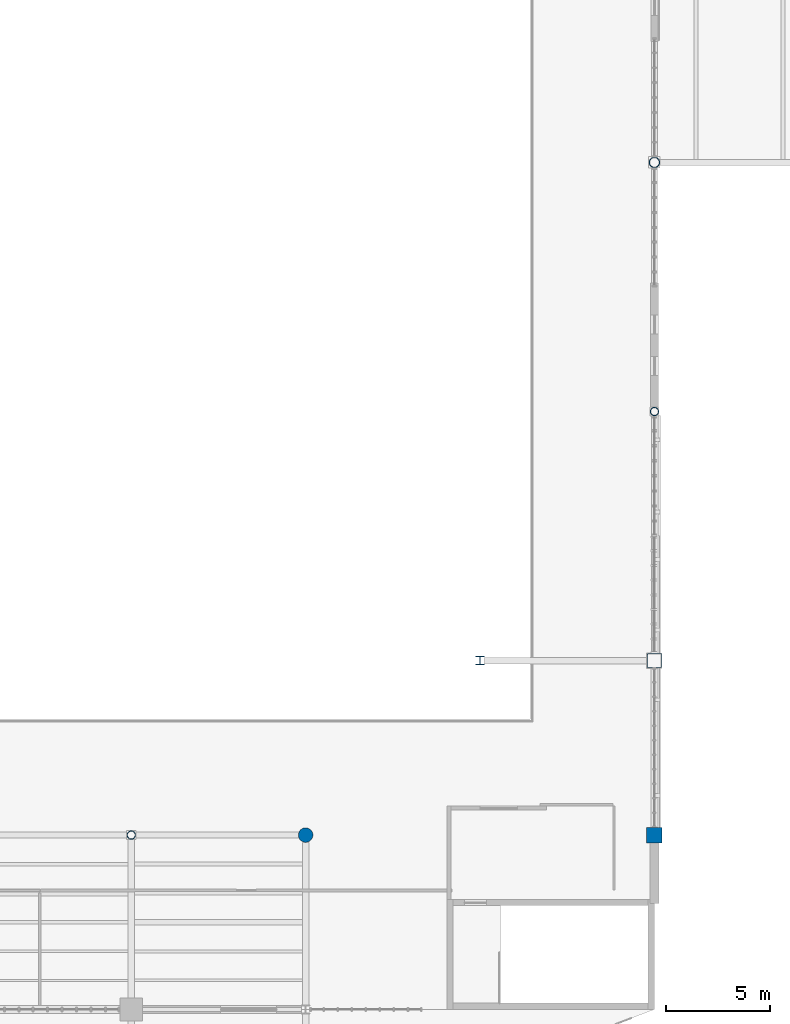
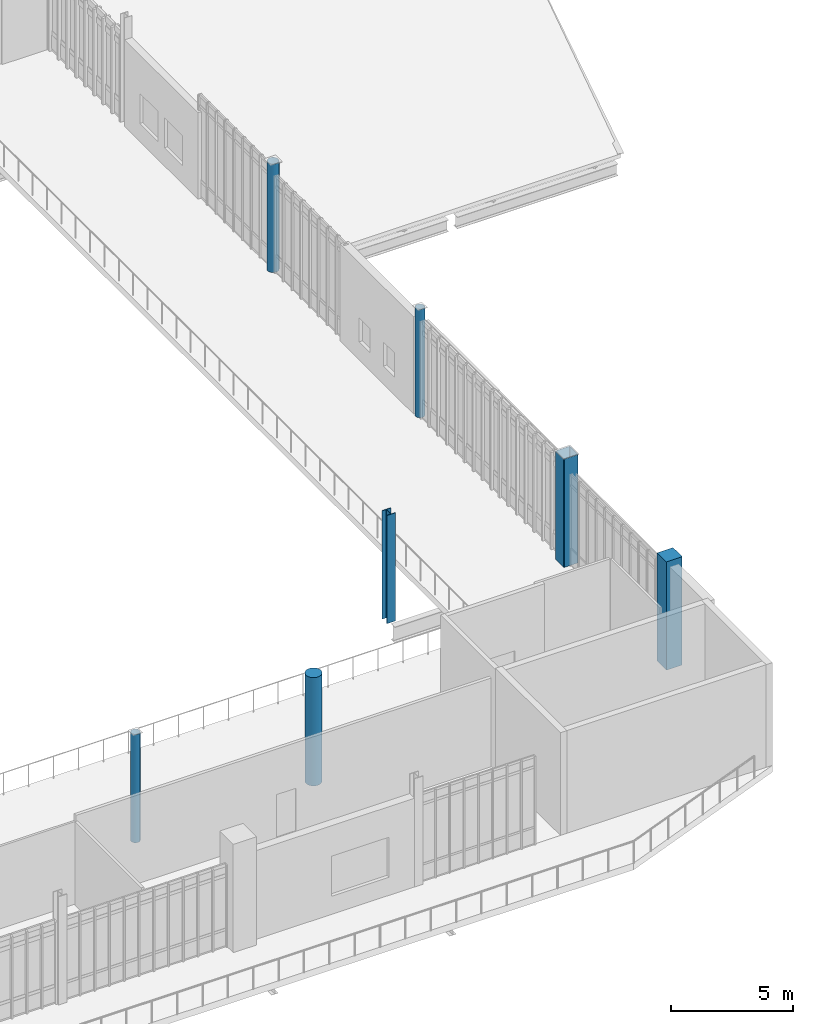
# One storey, part 2 of 135: 7 columns.
"""IFC4 building model written with IfcOpenShell, lengths in metres."""

from ifc_helpers import new_model, si_unit, direction, frame, origin, origin_2d, place, context, subcontext, project, spatial, rectangle, hollow_rectangle, circle, hollow_circle, i_section, extrude, material, material_profile, profile_set, type_object, element, save


model = new_model("IFC4")

# Units and contexts
model_context = context("Model", 3, precision=1e-05, world=origin(), true_north=direction((0.0, 1.0)))
body_context = subcontext(model_context, "Body", "Model", "MODEL_VIEW")
ifc_project = project(units=[si_unit("LENGTHUNIT", "METRE"), si_unit("AREAUNIT", "SQUARE_METRE"), si_unit("VOLUMEUNIT", "CUBIC_METRE"), si_unit("PLANEANGLEUNIT", "RADIAN"), si_unit("MASSUNIT", "GRAM", prefix="KILO")], contexts=[model_context])

# Site, building, storey
site_placement = place(None, origin())
site = spatial("IfcSite", under=ifc_project, at=site_placement, CompositionType="ELEMENT")
building_placement = place(site_placement, origin())
building = spatial("IfcBuilding", under=site, at=building_placement, Name="Larkvane Passage Sports Hall", CompositionType="ELEMENT")
storey_placement = place(building_placement, frame((0.0, 0.0, 16.800048828125)))
storey = spatial("IfcBuildingStorey", under=building, at=storey_placement, Name="L03", CompositionType="ELEMENT", Elevation=16.800048828125)

# Columns
ifc_material_1 = material(Name="Concrete C40/50", Category="concrete")
ifc_material_profile_1 = material_profile(ifc_material_1, circle(Radius=0.35009765625, at=origin_2d()), Name="RC-CIR-700")
ifc_profile_set_1 = profile_set([ifc_material_profile_1], Name="Concrete C40/50")
column_type_1 = type_object("IfcColumnType", Name="COL-CIR-700", PredefinedType="COLUMN", material=ifc_profile_set_1)
column_1_placement = place(storey_placement, frame((76.800048828125, 31.199951171875, 0.0), z_axis=(0.0, 0.0, 1.0), x_axis=(1.0, 0.0, 0.0)))
element("IfcColumn", 1, at=column_1_placement, inside=storey, type_object=column_type_1, Name="Column 11/E L03", PredefinedType="COLUMN", context=body_context, shape_type="SweptSolid", body=[
    extrude(circle(Radius=0.35009765625, at=origin_2d()), origin(), (0.0, 0.0, 1.0), 5.39990234375),
])
ifc_material_profile_2 = material_profile(ifc_material_1, rectangle(XDim=0.75, YDim=0.75, at=origin_2d()), Name="RC-COL-750x750")
ifc_profile_set_2 = profile_set([ifc_material_profile_2], Name="Concrete C40/50")
column_type_2 = type_object("IfcColumnType", Name="COL-RC-750", PredefinedType="COLUMN", material=ifc_profile_set_2)
column_2_placement = place(storey_placement, frame((93.60009765625, 31.199951171875, 0.0), z_axis=(0.0, 0.0, 1.0), x_axis=(1.0, 0.0, 0.0)))
element("IfcColumn", 2, at=column_2_placement, inside=storey, type_object=column_type_2, Name="Column 13/E L03", PredefinedType="COLUMN", context=body_context, shape_type="SweptSolid", body=[
    extrude(rectangle(XDim=0.75, YDim=0.75, at=origin_2d()), origin(), (0.0, 0.0, 1.0), 5.39990234375),
])
ifc_material_2 = material(Name="Steel S460N", Category="steel")
ifc_material_profile_3 = material_profile(ifc_material_2, hollow_rectangle(XDim=0.699951171875, YDim=0.699951171875, WallThickness=0.028076171875, InnerFilletRadius=0.028076171875, OuterFilletRadius=0.055908203125, at=origin_2d()), Name="BOX-700x700x28")
ifc_profile_set_3 = profile_set([ifc_material_profile_3], Name="Steel S460N")
column_type_3 = type_object("IfcColumnType", Name="COL-STL-BOX700", PredefinedType="COLUMN", material=ifc_profile_set_3)
column_3_placement = place(storey_placement, frame((93.60009765625, 39.60009765625, 0.0), z_axis=(0.0, 0.0, 1.0), x_axis=(1.0, 0.0, 0.0)))
element("IfcColumn", 3, at=column_3_placement, inside=storey, type_object=column_type_3, Name="Column 13/F L03", PredefinedType="COLUMN", context=body_context, shape_type="SweptSolid", body=[
    extrude(hollow_rectangle(XDim=0.699951171875, YDim=0.699951171875, WallThickness=0.028076171875, InnerFilletRadius=0.028076171875, OuterFilletRadius=0.055908203125, at=origin_2d()), origin(), (0.0, 0.0, 1.0), 5.39990234375),
])
ifc_material_3 = material(Name="Steel S355JR", Category="steel")
ifc_material_profile_4 = material_profile(ifc_material_3, hollow_circle(Radius=0.203125, WallThickness=0.01611328125, at=origin_2d()), Name="CHS-406.4x16.0")
ifc_profile_set_4 = profile_set([ifc_material_profile_4], Name="Steel S355JR")
column_type_4 = type_object("IfcColumnType", Name="COL-STL-CHS406", PredefinedType="COLUMN", material=ifc_profile_set_4)
for number, where, z_axis, x_axis, name in (
    (4, (68.39990234375, 31.199951171875, 0.0), (0.0, 0.0, 1.0), (1.0, 0.0, 0.0), "Column 10/E L03"),
    (5, (93.60009765625, 51.60009765625, 0.0), (0.0, 0.0, 1.0), (1.0, 0.0, 0.0), "Column 13/G L03"),
):
    element("IfcColumn", number, at=place(storey_placement, frame(where, z_axis=z_axis, x_axis=x_axis)), inside=storey, type_object=column_type_4, Name=name, PredefinedType="COLUMN", context=body_context, shape_type="SweptSolid", body=[
        extrude(hollow_circle(Radius=0.203125, WallThickness=0.01611328125, at=origin_2d()), origin(), (0.0, 0.0, 1.0), 5.39990234375),
    ])
ifc_material_profile_5 = material_profile(ifc_material_2, hollow_circle(Radius=0.25390625, WallThickness=0.01904296875, at=origin_2d()), Name="CHS-508.0x19.0")
ifc_profile_set_5 = profile_set([ifc_material_profile_5], Name="Steel S460N")
column_type_5 = type_object("IfcColumnType", Name="COL-STL-CHS508", PredefinedType="COLUMN", material=ifc_profile_set_5)
column_4_placement = place(storey_placement, frame((93.60009765625, 63.60009765625, 0.0), z_axis=(0.0, 0.0, 1.0), x_axis=(1.0, 0.0, 0.0)))
element("IfcColumn", 6, at=column_4_placement, inside=storey, type_object=column_type_5, Name="Column 13/H L03", PredefinedType="COLUMN", context=body_context, shape_type="SweptSolid", body=[
    extrude(hollow_circle(Radius=0.25390625, WallThickness=0.01904296875, at=origin_2d()), origin(), (0.0, 0.0, 1.0), 5.39990234375),
])
ifc_material_profile_6 = material_profile(ifc_material_2, i_section(OverallWidth=0.405029296875, OverallDepth=0.4140625, WebThickness=0.01806640625, FlangeThickness=0.028076171875, FilletRadius=0.02197265625, at=origin_2d()), Name="H-414x405x18x28")
ifc_profile_set_6 = profile_set([ifc_material_profile_6], Name="Steel S460N")
column_type_6 = type_object("IfcColumnType", Name="COL-STL-H414", PredefinedType="COLUMN", material=ifc_profile_set_6)
column_5_placement = place(storey_placement, frame((85.199951171875, 39.60009765625, 0.0), z_axis=(0.0, 0.0, 1.0), x_axis=(1.0, 0.0, 0.0)))
element("IfcColumn", 7, at=column_5_placement, inside=storey, type_object=column_type_6, Name="Column 12/F L03", PredefinedType="COLUMN", context=body_context, shape_type="SweptSolid", body=[
    extrude(i_section(OverallWidth=0.405029296875, OverallDepth=0.4140625, WebThickness=0.01806640625, FlangeThickness=0.028076171875, FilletRadius=0.02197265625, at=origin_2d()), origin(), (0.0, 0.0, 1.0), 5.39990234375),
])

save(model, "model.ifc")
